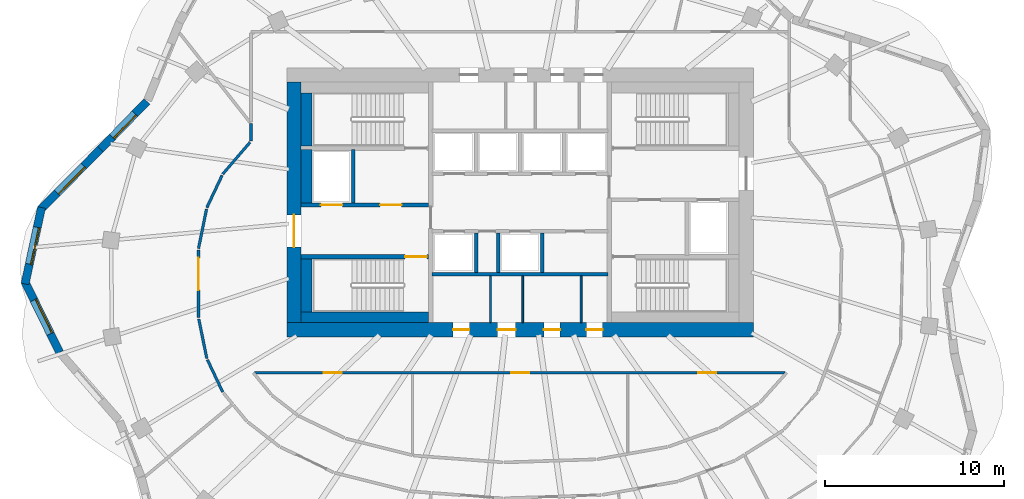
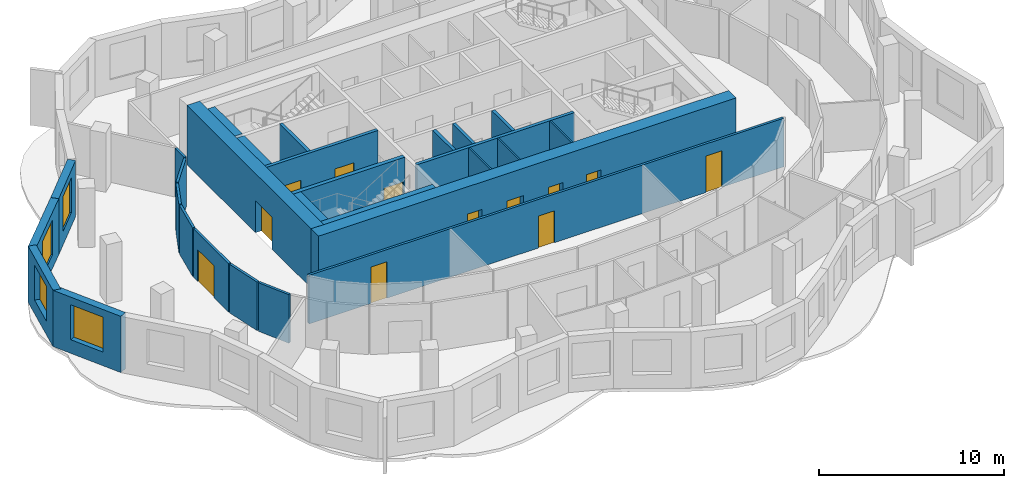
# One storey, part 4 of 9: 28 walls, 12 doors, 4 windows, 16 openings.
"""IFC4 building model written with IfcOpenShell, lengths in metres."""

from ifc_helpers import new_model, si_unit, direction, frame, frame_2d, origin, place, context, subcontext, project, spatial, rectangle, extrude, material, layer, layer_set, type_object, element, fill, save


model = new_model("IFC4")

# Units and contexts
model_context = context("Model", 3, precision=1e-05, world=origin(), true_north=direction((0.0, 1.0)))
body_context = subcontext(model_context, "Body", "Model", "MODEL_VIEW")
ifc_project = project(units=[si_unit("LENGTHUNIT", "METRE"), si_unit("AREAUNIT", "SQUARE_METRE"), si_unit("VOLUMEUNIT", "CUBIC_METRE"), si_unit("PLANEANGLEUNIT", "RADIAN"), si_unit("MASSUNIT", "GRAM", prefix="KILO")], contexts=[model_context])

# Site, building, storey
site_placement = place(None, origin())
site = spatial("IfcSite", under=ifc_project, at=site_placement, CompositionType="ELEMENT")
building_placement = place(site_placement, origin())
building = spatial("IfcBuilding", under=site, at=building_placement, Name="Rubra Terraces Tower", CompositionType="ELEMENT")
storey_placement = place(building_placement, frame((0.0, 0.0, 284.39990234375)))
storey = spatial("IfcBuildingStorey", under=building, at=storey_placement, Name="L70", CompositionType="ELEMENT", Elevation=284.39990234375)

# Wall, opening, window
ifc_material_1 = material(Name="Brick masonry red-brown", Category="masonry")
ifc_layer_1 = layer(ifc_material_1, 0.449951171875)
ifc_layer_set_1 = layer_set([ifc_layer_1], Name="Brick masonry red-brown")
wall_type_1 = type_object("IfcWallType", Name="Brick facade wall 450", PredefinedType="SOLIDWALL", material=ifc_layer_set_1)
wall_1_placement = place(storey_placement, frame((-20.795654296875, 10.1240234375, 0.0), z_axis=(0.0, 0.0, 1.0), x_axis=(-0.697121527554, -0.716952980203, 0.0)))
wall_1 = element("IfcWall", 1, at=wall_1_placement, inside=storey, type_object=wall_type_1, Name="Facade wall L70 bay 18", PredefinedType="SOLIDWALL", context=body_context, shape_type="SweptSolid", body=[
    extrude(rectangle(XDim=3.7177734375, YDim=0.449951171875, at=frame_2d((1.85888671875, 0.0))), origin(), (0.0, 0.0, 1.0), 3.7001953125),
])
opening_1_placement = place(wall_1_placement, frame((0.958984375, 0.0, 0.89990234375)))
opening_1 = element("IfcOpeningElement", 2, at=opening_1_placement, cuts=wall_1, Name="Opening W6B", PredefinedType="OPENING", context=body_context, shape_type="SweptSolid", body=[
    extrude(rectangle(XDim=1.800048828125, YDim=2.300048828125, at=frame_2d((0.89990234375, 1.14990234375))), frame((0.0, 0.23486328125, 0.0), z_axis=(0.0, -1.0, 0.0), x_axis=(1.0, 0.0, 0.0)), (0.0, 0.0, 1.0), 0.469970703125),
])
ifc_material_2 = material(Name="Clear glass in aluminium frame", Category="aluminium")
window_type_1 = type_object("IfcWindowType", Name="Fixed deep-set window at wind fin tall storey 1800 x 2300", PartitioningType="SINGLE_PANEL", PredefinedType="WINDOW", material=ifc_material_2)
window_1_placement = place(opening_1_placement, origin())
window_1 = element("IfcWindow", 3, at=window_1_placement, inside=storey, type_object=window_type_1, Name="Window L70 bay 18", OverallHeight=2.300048828125, OverallWidth=1.800048828125, PartitioningType="SINGLE_PANEL", PredefinedType="WINDOW", context=body_context, shape_type="SweptSolid", body=[
    extrude(rectangle(XDim=1.800048828125, YDim=2.300048828125, at=frame_2d((0.89990234375, 1.14990234375))), frame((0.0, 0.135009765625, 0.0), z_axis=(0.0, -1.0, 0.0), x_axis=(1.0, 0.0, 0.0)), (0.0, 0.0, 1.0), 0.06005859375),
])
fill(opening_1, window_1)

wall_2_placement = place(storey_placement, frame((-23.389892578125, 7.45556640625, 0.0), z_axis=(0.0, 0.0, 1.0), x_axis=(-0.705349231702, -0.708859973011, 0.0)))
wall_2 = element("IfcWall", 4, at=wall_2_placement, inside=storey, type_object=wall_type_1, Name="Facade wall L70 bay 19", PredefinedType="SOLIDWALL", context=body_context, shape_type="SweptSolid", body=[
    extrude(rectangle(XDim=4.728759765625, YDim=0.449951171875, at=frame_2d((2.3642578125, 0.0))), origin(), (0.0, 0.0, 1.0), 3.7001953125),
])
opening_2_placement = place(wall_2_placement, frame((1.314453125, 0.0, 0.89990234375)))
opening_2 = element("IfcOpeningElement", 5, at=opening_2_placement, cuts=wall_2, Name="Opening W1B", PredefinedType="OPENING", context=body_context, shape_type="SweptSolid", body=[
    extrude(rectangle(XDim=2.10009765625, YDim=2.300048828125, at=frame_2d((1.050048828125, 1.14990234375))), frame((0.0, 0.23486328125, 0.0), z_axis=(0.0, -1.0, 0.0), x_axis=(1.0, 0.0, 0.0)), (0.0, 0.0, 1.0), 0.469970703125),
])
window_type_2 = type_object("IfcWindowType", Name="Fixed deep-set window tall storey 2100 x 2300", PartitioningType="SINGLE_PANEL", PredefinedType="WINDOW", material=ifc_material_2)
window_2_placement = place(opening_2_placement, origin())
window_2 = element("IfcWindow", 6, at=window_2_placement, inside=storey, type_object=window_type_2, Name="Window L70 bay 19", OverallHeight=2.300048828125, OverallWidth=2.10009765625, PartitioningType="SINGLE_PANEL", PredefinedType="WINDOW", context=body_context, shape_type="SweptSolid", body=[
    extrude(rectangle(XDim=2.10009765625, YDim=2.300048828125, at=frame_2d((1.050048828125, 1.14990234375))), frame((0.0, 0.135009765625, 0.0), z_axis=(0.0, -1.0, 0.0), x_axis=(1.0, 0.0, 0.0)), (0.0, 0.0, 1.0), 0.06005859375),
])
fill(opening_2, window_2)

wall_3_placement = place(storey_placement, frame((-26.668212890625, 4.21142578125, 0.0), z_axis=(0.0, 0.0, 1.0), x_axis=(-0.210910311825, -0.977505417052, 0.0)))
wall_3 = element("IfcWall", 7, at=wall_3_placement, inside=storey, type_object=wall_type_1, Name="Facade wall L70 bay 20", PredefinedType="SOLIDWALL", context=body_context, shape_type="SweptSolid", body=[
    extrude(rectangle(XDim=4.35693359375, YDim=0.449951171875, at=frame_2d((2.178466796875, 0.0))), origin(), (0.0, 0.0, 1.0), 3.7001953125),
])
opening_3_placement = place(wall_3_placement, frame((1.12841796875, 0.0, 0.89990234375)))
opening_3 = element("IfcOpeningElement", 8, at=opening_3_placement, cuts=wall_3, Name="Opening W1B", PredefinedType="OPENING", context=body_context, shape_type="SweptSolid", body=[
    extrude(rectangle(XDim=2.10009765625, YDim=2.300048828125, at=frame_2d((1.050048828125, 1.14990234375))), frame((0.0, 0.23486328125, 0.0), z_axis=(0.0, -1.0, 0.0), x_axis=(1.0, 0.0, 0.0)), (0.0, 0.0, 1.0), 0.469970703125),
])
window_3_placement = place(opening_3_placement, origin())
window_3 = element("IfcWindow", 9, at=window_3_placement, inside=storey, type_object=window_type_2, Name="Window L70 bay 20", OverallHeight=2.300048828125, OverallWidth=2.10009765625, PartitioningType="SINGLE_PANEL", PredefinedType="WINDOW", context=body_context, shape_type="SweptSolid", body=[
    extrude(rectangle(XDim=2.10009765625, YDim=2.300048828125, at=frame_2d((1.050048828125, 1.14990234375))), frame((0.0, 0.135009765625, 0.0), z_axis=(0.0, -1.0, 0.0), x_axis=(1.0, 0.0, 0.0)), (0.0, 0.0, 1.0), 0.06005859375),
])
fill(opening_3, window_3)

wall_4_placement = place(storey_placement, frame((-27.60498046875, 0.09912109375, 0.0), z_axis=(0.0, 0.0, 1.0), x_axis=(0.440876526139, -0.897567762734, 0.0)))
wall_4 = element("IfcWall", 10, at=wall_4_placement, inside=storey, type_object=wall_type_1, Name="Facade wall L70 bay 21", PredefinedType="SOLIDWALL", context=body_context, shape_type="SweptSolid", body=[
    extrude(rectangle(XDim=4.4150390625, YDim=0.449951171875, at=frame_2d((2.20751953125, 0.0))), origin(), (0.0, 0.0, 1.0), 3.7001953125),
])
opening_4_placement = place(wall_4_placement, frame((1.15771484375, 0.0, 0.89990234375)))
opening_4 = element("IfcOpeningElement", 11, at=opening_4_placement, cuts=wall_4, Name="Opening W1B", PredefinedType="OPENING", context=body_context, shape_type="SweptSolid", body=[
    extrude(rectangle(XDim=2.10009765625, YDim=2.300048828125, at=frame_2d((1.050048828125, 1.14990234375))), frame((0.0, 0.23486328125, 0.0), z_axis=(0.0, -1.0, 0.0), x_axis=(1.0, 0.0, 0.0)), (0.0, 0.0, 1.0), 0.469970703125),
])
window_4_placement = place(opening_4_placement, origin())
window_4 = element("IfcWindow", 12, at=window_4_placement, inside=storey, type_object=window_type_2, Name="Window L70 bay 21", OverallHeight=2.300048828125, OverallWidth=2.10009765625, PartitioningType="SINGLE_PANEL", PredefinedType="WINDOW", context=body_context, shape_type="SweptSolid", body=[
    extrude(rectangle(XDim=2.10009765625, YDim=2.300048828125, at=frame_2d((1.050048828125, 1.14990234375))), frame((0.0, 0.135009765625, 0.0), z_axis=(0.0, -1.0, 0.0), x_axis=(1.0, 0.0, 0.0)), (0.0, 0.0, 1.0), 0.06005859375),
])
fill(opening_4, window_4)

# Wall, openings, doors
ifc_material_3 = material(Name="Concrete C50", Category="concrete")
ifc_layer_2 = layer(ifc_material_3, 0.800048828125)
ifc_layer_set_2 = layer_set([ifc_layer_2], Name="Concrete C50")
wall_type_2 = type_object("IfcWallType", Name="CORE WALL 800 C50", PredefinedType="SHEAR", material=ifc_layer_set_2)
wall_5_placement = place(storey_placement, frame((-13.0, -2.60009765625, 0.0), z_axis=(0.0, 0.0, 1.0), x_axis=(1.0, 0.0, 0.0)))
wall_5 = element("IfcWall", 13, at=wall_5_placement, inside=storey, type_object=wall_type_2, Name="CORE WALL S L70", PredefinedType="SHEAR", context=body_context, shape_type="SweptSolid", body=[
    extrude(rectangle(XDim=26.0, YDim=0.800048828125, at=frame_2d((13.0, 0.0))), origin(), (0.0, 0.0, 1.0), 3.900146484375),
])
opening_5_placement = place(wall_5_placement, frame((9.27490234375, 0.0, 0.0)))
opening_5 = element("IfcOpeningElement", 14, at=opening_5_placement, cuts=wall_5, Name="Opening L70.C21", PredefinedType="OPENING", context=body_context, shape_type="SweptSolid", body=[
    extrude(rectangle(XDim=0.89990234375, YDim=2.10009765625, at=frame_2d((0.449951171875, 1.050048828125))), frame((0.0, 0.409912109375, 0.0), z_axis=(0.0, -1.0, 0.0), x_axis=(1.0, 0.0, 0.0)), (0.0, 0.0, 1.0), 0.820068359375),
])
opening_6_placement = place(wall_5_placement, frame((11.75, 0.0, 0.0)))
opening_6 = element("IfcOpeningElement", 15, at=opening_6_placement, cuts=wall_5, Name="Opening L70.C22", PredefinedType="OPENING", context=body_context, shape_type="SweptSolid", body=[
    extrude(rectangle(XDim=1.0, YDim=2.10009765625, at=frame_2d((0.5, 1.050048828125))), frame((0.0, 0.409912109375, 0.0), z_axis=(0.0, -1.0, 0.0), x_axis=(1.0, 0.0, 0.0)), (0.0, 0.0, 1.0), 0.820068359375),
])
opening_7_placement = place(wall_5_placement, frame((14.324951171875, 0.0, 0.0)))
opening_7 = element("IfcOpeningElement", 16, at=opening_7_placement, cuts=wall_5, Name="Opening L70.C23", PredefinedType="OPENING", context=body_context, shape_type="SweptSolid", body=[
    extrude(rectangle(XDim=0.89990234375, YDim=2.10009765625, at=frame_2d((0.449951171875, 1.050048828125))), frame((0.0, 0.409912109375, 0.0), z_axis=(0.0, -1.0, 0.0), x_axis=(1.0, 0.0, 0.0)), (0.0, 0.0, 1.0), 0.820068359375),
])
opening_8_placement = place(wall_5_placement, frame((16.699951171875, 0.0, 0.0)))
opening_8 = element("IfcOpeningElement", 17, at=opening_8_placement, cuts=wall_5, Name="Opening L70.C24", PredefinedType="OPENING", context=body_context, shape_type="SweptSolid", body=[
    extrude(rectangle(XDim=0.89990234375, YDim=2.10009765625, at=frame_2d((0.449951171875, 1.050048828125))), frame((0.0, 0.409912109375, 0.0), z_axis=(0.0, -1.0, 0.0), x_axis=(1.0, 0.0, 0.0)), (0.0, 0.0, 1.0), 0.820068359375),
])
ifc_material_4 = material(Name="Painted steel", Category="steel")
door_type_1 = type_object("IfcDoorType", Name="Fire door 1000x2100 single", OperationType="NOTDEFINED", PredefinedType="DOOR", material=ifc_material_4)
door_1_placement = place(opening_6_placement, origin())
door_1 = element("IfcDoor", 18, at=door_1_placement, inside=storey, type_object=door_type_1, Name="Accessible WC door", OperationType="SINGLE_SWING_RIGHT", OverallHeight=2.10009765625, OverallWidth=1.0, PredefinedType="DOOR", context=body_context, shape_type="SweptSolid", body=[
    extrude(rectangle(XDim=1.0, YDim=2.10009765625, at=frame_2d((0.5, 1.050048828125))), frame((0.0, 0.02490234375, 0.0), z_axis=(0.0, -1.0, 0.0), x_axis=(1.0, 0.0, 0.0)), (0.0, 0.0, 1.0), 0.050048828125),
])
fill(opening_6, door_1)
door_type_2 = type_object("IfcDoorType", Name="Fire door 900x2100 single", OperationType="NOTDEFINED", PredefinedType="DOOR", material=ifc_material_4)
door_2_placement = place(opening_5_placement, origin())
door_2 = element("IfcDoor", 19, at=door_2_placement, inside=storey, type_object=door_type_2, Name="Gents WC door", OperationType="SINGLE_SWING_LEFT", OverallHeight=2.10009765625, OverallWidth=0.89990234375, PredefinedType="DOOR", context=body_context, shape_type="SweptSolid", body=[
    extrude(rectangle(XDim=0.89990234375, YDim=2.10009765625, at=frame_2d((0.449951171875, 1.050048828125))), frame((0.0, 0.02490234375, 0.0), z_axis=(0.0, -1.0, 0.0), x_axis=(1.0, 0.0, 0.0)), (0.0, 0.0, 1.0), 0.050048828125),
])
fill(opening_5, door_2)
door_3_placement = place(opening_7_placement, origin())
door_3 = element("IfcDoor", 20, at=door_3_placement, inside=storey, type_object=door_type_2, Name="Ladies WC door", OperationType="SINGLE_SWING_LEFT", OverallHeight=2.10009765625, OverallWidth=0.89990234375, PredefinedType="DOOR", context=body_context, shape_type="SweptSolid", body=[
    extrude(rectangle(XDim=0.89990234375, YDim=2.10009765625, at=frame_2d((0.449951171875, 1.050048828125))), frame((0.0, 0.02490234375, 0.0), z_axis=(0.0, -1.0, 0.0), x_axis=(1.0, 0.0, 0.0)), (0.0, 0.0, 1.0), 0.050048828125),
])
fill(opening_7, door_3)
door_4_placement = place(opening_8_placement, origin())
door_4 = element("IfcDoor", 21, at=door_4_placement, inside=storey, type_object=door_type_2, Name="Cleaner's store door", OperationType="SINGLE_SWING_RIGHT", OverallHeight=2.10009765625, OverallWidth=0.89990234375, PredefinedType="DOOR", context=body_context, shape_type="SweptSolid", body=[
    extrude(rectangle(XDim=0.89990234375, YDim=2.10009765625, at=frame_2d((0.449951171875, 1.050048828125))), frame((0.0, 0.02490234375, 0.0), z_axis=(0.0, -1.0, 0.0), x_axis=(1.0, 0.0, 0.0)), (0.0, 0.0, 1.0), 0.050048828125),
])
fill(opening_8, door_4)

# Wall, opening, door
wall_6_placement = place(storey_placement, frame((-12.60009765625, -2.199951171875, 0.0), z_axis=(0.0, 0.0, 1.0), x_axis=(0.0, 1.0, 0.0)))
wall_6 = element("IfcWall", 22, at=wall_6_placement, inside=storey, type_object=wall_type_2, Name="CORE WALL W L70", PredefinedType="SHEAR", context=body_context, shape_type="SweptSolid", body=[
    extrude(rectangle(XDim=13.39990234375, YDim=0.800048828125, at=frame_2d((6.699951171875, 0.0))), origin(), (0.0, 0.0, 1.0), 3.900146484375),
])
opening_9_placement = place(wall_6_placement, frame((4.199951171875, 0.0, 0.0)))
opening_9 = element("IfcOpeningElement", 23, at=opening_9_placement, cuts=wall_6, Name="Opening L70.C01", PredefinedType="OPENING", context=body_context, shape_type="SweptSolid", body=[
    extrude(rectangle(XDim=1.800048828125, YDim=2.10009765625, at=frame_2d((0.89990234375, 1.050048828125))), frame((0.0, 0.409912109375, 0.0), z_axis=(0.0, -1.0, 0.0), x_axis=(1.0, 0.0, 0.0)), (0.0, 0.0, 1.0), 0.820068359375),
])
door_type_3 = type_object("IfcDoorType", Name="Fire door 1800x2100 double", OperationType="NOTDEFINED", PredefinedType="DOOR", material=ifc_material_4)
door_5_placement = place(opening_9_placement, origin())
door_5 = element("IfcDoor", 24, at=door_5_placement, inside=storey, type_object=door_type_3, Name="Core entrance door FF1", OperationType="DOUBLE_DOOR_SINGLE_SWING", OverallHeight=2.10009765625, OverallWidth=1.800048828125, PredefinedType="DOOR", context=body_context, shape_type="SweptSolid", body=[
    extrude(rectangle(XDim=1.800048828125, YDim=2.10009765625, at=frame_2d((0.89990234375, 1.050048828125))), frame((0.0, 0.02490234375, 0.0), z_axis=(0.0, -1.0, 0.0), x_axis=(1.0, 0.0, 0.0)), (0.0, 0.0, 1.0), 0.050048828125),
])
fill(opening_9, door_5)

# Walls
ifc_material_5 = material(Name="Plasterboard on steel stud, mineral wool infill", Category="steel")
ifc_layer_3 = layer(ifc_material_5, 0.14990234375)
ifc_layer_set_3 = layer_set([ifc_layer_3], Name="Plasterboard on steel stud, mineral wool infill")
wall_type_3 = type_object("IfcWallType", Name="CORRIDOR PARTITION 150", PredefinedType="PARTITIONING", material=ifc_layer_set_3)
wall_7_placement = place(storey_placement, frame((-15.0, 8.892822265625, 0.0), z_axis=(0.0, 0.0, 1.0), x_axis=(0.0, -1.0, 0.0)))
element("IfcWall", 25, at=wall_7_placement, inside=storey, type_object=wall_type_3, Name="PARTITION", PredefinedType="PARTITIONING", context=body_context, shape_type="SweptSolid", body=[
    extrude(rectangle(XDim=0.988525390625, YDim=0.14990234375, at=frame_2d((0.494140625, 0.0))), origin(), (0.0, 0.0, 1.0), 3.197998046875),
])
wall_8_placement = place(storey_placement, frame((-15.048828125, 7.847412109375, 0.0), z_axis=(0.0, 0.0, 1.0), x_axis=(-0.651264357687, -0.758850931611, 0.0)))
element("IfcWall", 26, at=wall_8_placement, inside=storey, type_object=wall_type_3, Name="PARTITION", PredefinedType="PARTITIONING", context=body_context, shape_type="SweptSolid", body=[
    extrude(rectangle(XDim=2.33740234375, YDim=0.14990234375, at=frame_2d((1.168701171875, 0.0))), origin(), (0.0, 0.0, 1.0), 3.197998046875),
])
wall_9_placement = place(storey_placement, frame((-16.603271484375, 6.006103515625, 0.0), z_axis=(0.0, 0.0, 1.0), x_axis=(-0.427839289523, -0.903854823708, 0.0)))
element("IfcWall", 27, at=wall_9_placement, inside=storey, type_object=wall_type_3, Name="PARTITION", PredefinedType="PARTITIONING", context=body_context, shape_type="SweptSolid", body=[
    extrude(rectangle(XDim=1.99658203125, YDim=0.14990234375, at=frame_2d((0.998291015625, 0.0))), origin(), (0.0, 0.0, 1.0), 3.197998046875),
])
wall_10_placement = place(storey_placement, frame((-17.472412109375, 4.1279296875, 0.0), z_axis=(0.0, 0.0, 1.0), x_axis=(-0.199502025364, -0.979897413955, 0.0)))
element("IfcWall", 28, at=wall_10_placement, inside=storey, type_object=wall_type_3, Name="PARTITION", PredefinedType="PARTITIONING", context=body_context, shape_type="SweptSolid", body=[
    extrude(rectangle(XDim=2.24560546875, YDim=0.14990234375, at=frame_2d((1.122802734375, 0.0))), origin(), (0.0, 0.0, 1.0), 3.197998046875),
])

# Wall, opening, door
wall_11_placement = place(storey_placement, frame((-17.92041015625, 1.8525390625, 0.0), z_axis=(0.0, 0.0, 1.0), x_axis=(0.0, -1.0, 0.0)))
wall_11 = element("IfcWall", 29, at=wall_11_placement, inside=storey, type_object=wall_type_3, Name="PARTITION", PredefinedType="PARTITIONING", context=body_context, shape_type="SweptSolid", body=[
    extrude(rectangle(XDim=3.780029296875, YDim=0.14990234375, at=frame_2d((1.89013671875, 0.0))), origin(), (0.0, 0.0, 1.0), 3.197998046875),
])
opening_10_placement = place(wall_11_placement, frame((0.449951171875, 0.0, 0.0)))
opening_10 = element("IfcOpeningElement", 30, at=opening_10_placement, cuts=wall_11, Name="Opening 70-101", PredefinedType="OPENING", context=body_context, shape_type="SweptSolid", body=[
    extrude(rectangle(XDim=1.800048828125, YDim=2.10009765625, at=frame_2d((0.89990234375, 1.050048828125))), frame((0.0, 0.0849609375, 0.0), z_axis=(0.0, -1.0, 0.0), x_axis=(1.0, 0.0, 0.0)), (0.0, 0.0, 1.0), 0.169921875),
])
ifc_material_6 = material(Name="Painted timber door leaf, double", Category="wood")
door_type_4 = type_object("IfcDoorType", Name="ROOM DOUBLE DOOR 1800 X 2100", OperationType="DOUBLE_DOOR_SINGLE_SWING", PredefinedType="DOOR", material=ifc_material_6)
door_6_placement = place(opening_10_placement, origin())
door_6 = element("IfcDoor", 31, at=door_6_placement, inside=storey, type_object=door_type_4, Name="DOOR 70-101", OperationType="DOUBLE_DOOR_SINGLE_SWING", OverallHeight=2.10009765625, OverallWidth=1.800048828125, PredefinedType="DOOR", context=body_context, shape_type="SweptSolid", body=[
    extrude(rectangle(XDim=1.800048828125, YDim=2.10009765625, at=frame_2d((0.89990234375, 1.050048828125))), frame((0.0, 0.02490234375, 0.0), z_axis=(0.0, -1.0, 0.0), x_axis=(1.0, 0.0, 0.0)), (0.0, 0.0, 1.0), 0.050048828125),
])
fill(opening_10, door_6)

# Walls
wall_12_placement = place(storey_placement, frame((-17.905517578125, -2.0009765625, 0.0), z_axis=(0.0, 0.0, 1.0), x_axis=(0.199502025364, -0.979897413955, 0.0)))
element("IfcWall", 32, at=wall_12_placement, inside=storey, type_object=wall_type_3, Name="PARTITION", PredefinedType="PARTITIONING", context=body_context, shape_type="SweptSolid", body=[
    extrude(rectangle(XDim=2.24560546875, YDim=0.14990234375, at=frame_2d((1.122802734375, 0.0))), origin(), (0.0, 0.0, 1.0), 3.197998046875),
])
wall_13_placement = place(storey_placement, frame((-17.42529296875, -4.269287109375, 0.0), z_axis=(0.0, 0.0, 1.0), x_axis=(0.427886578366, -0.90383243804, 0.0)))
element("IfcWall", 33, at=wall_13_placement, inside=storey, type_object=wall_type_3, Name="PARTITION", PredefinedType="PARTITIONING", context=body_context, shape_type="SweptSolid", body=[
    extrude(rectangle(XDim=1.996337890625, YDim=0.14990234375, at=frame_2d((0.998046875, 0.0))), origin(), (0.0, 0.0, 1.0), 3.197998046875),
])

# Wall, openings, doors
wall_14_placement = place(storey_placement, frame((-14.7890625, -5.0, 0.0), z_axis=(0.0, 0.0, 1.0), x_axis=(1.0, 0.0, 0.0)))
wall_14 = element("IfcWall", 34, at=wall_14_placement, inside=storey, type_object=wall_type_3, Name="PARTITION", PredefinedType="PARTITIONING", context=body_context, shape_type="SweptSolid", body=[
    extrude(rectangle(XDim=29.56201171875, YDim=0.14990234375, at=frame_2d((14.781005859375, 0.0))), origin(), (0.0, 0.0, 1.0), 3.197998046875),
])
opening_11_placement = place(wall_14_placement, frame((3.85693359375, 0.0, 0.0)))
opening_11 = element("IfcOpeningElement", 35, at=opening_11_placement, cuts=wall_14, Name="Opening 70-113", PredefinedType="OPENING", context=body_context, shape_type="SweptSolid", body=[
    extrude(rectangle(XDim=1.0, YDim=2.39990234375, at=frame_2d((0.5, 1.199951171875))), frame((0.0, 0.0849609375, 0.0), z_axis=(0.0, -1.0, 0.0), x_axis=(1.0, 0.0, 0.0)), (0.0, 0.0, 1.0), 0.169921875),
])
opening_12_placement = place(wall_14_placement, frame((14.2890625, 0.0, 0.0)))
opening_12 = element("IfcOpeningElement", 36, at=opening_12_placement, cuts=wall_14, Name="Opening 70-114", PredefinedType="OPENING", context=body_context, shape_type="SweptSolid", body=[
    extrude(rectangle(XDim=1.0, YDim=2.10009765625, at=frame_2d((0.5, 1.050048828125))), frame((0.0, 0.0849609375, 0.0), z_axis=(0.0, -1.0, 0.0), x_axis=(1.0, 0.0, 0.0)), (0.0, 0.0, 1.0), 0.169921875),
])
opening_13_placement = place(wall_14_placement, frame((24.712890625, 0.0, 0.0)))
opening_13 = element("IfcOpeningElement", 37, at=opening_13_placement, cuts=wall_14, Name="Opening 70-115", PredefinedType="OPENING", context=body_context, shape_type="SweptSolid", body=[
    extrude(rectangle(XDim=1.0, YDim=2.39990234375, at=frame_2d((0.5, 1.199951171875))), frame((0.0, 0.0849609375, 0.0), z_axis=(0.0, -1.0, 0.0), x_axis=(1.0, 0.0, 0.0)), (0.0, 0.0, 1.0), 0.169921875),
])
ifc_material_7 = material(Name="Glazed aluminium meeting door leaf", Category="aluminium")
door_type_5 = type_object("IfcDoorType", Name="MEETING ROOM GLAZED DOOR 1000 X 2400", OperationType="SINGLE_SWING_LEFT", PredefinedType="DOOR", material=ifc_material_7)
door_7_placement = place(opening_11_placement, origin())
door_7 = element("IfcDoor", 38, at=door_7_placement, inside=storey, type_object=door_type_5, Name="DOOR 70-113", OperationType="SINGLE_SWING_RIGHT", OverallHeight=2.39990234375, OverallWidth=1.0, PredefinedType="DOOR", context=body_context, shape_type="SweptSolid", body=[
    extrude(rectangle(XDim=1.0, YDim=2.39990234375, at=frame_2d((0.5, 1.199951171875))), frame((0.0, 0.02490234375, 0.0), z_axis=(0.0, -1.0, 0.0), x_axis=(1.0, 0.0, 0.0)), (0.0, 0.0, 1.0), 0.050048828125),
])
fill(opening_11, door_7)
door_8_placement = place(opening_13_placement, origin())
door_8 = element("IfcDoor", 39, at=door_8_placement, inside=storey, type_object=door_type_5, Name="DOOR 70-115", OperationType="SINGLE_SWING_RIGHT", OverallHeight=2.39990234375, OverallWidth=1.0, PredefinedType="DOOR", context=body_context, shape_type="SweptSolid", body=[
    extrude(rectangle(XDim=1.0, YDim=2.39990234375, at=frame_2d((0.5, 1.199951171875))), frame((0.0, 0.02490234375, 0.0), z_axis=(0.0, -1.0, 0.0), x_axis=(1.0, 0.0, 0.0)), (0.0, 0.0, 1.0), 0.050048828125),
])
fill(opening_13, door_8)
ifc_material_8 = material(Name="Painted timber door leaf", Category="wood")
door_type_6 = type_object("IfcDoorType", Name="ROOM DOOR 1000 X 2100", OperationType="SINGLE_SWING_LEFT", PredefinedType="DOOR", material=ifc_material_8)
door_9_placement = place(opening_12_placement, origin())
door_9 = element("IfcDoor", 40, at=door_9_placement, inside=storey, type_object=door_type_6, Name="DOOR 70-114", OperationType="SINGLE_SWING_RIGHT", OverallHeight=2.10009765625, OverallWidth=1.0, PredefinedType="DOOR", context=body_context, shape_type="SweptSolid", body=[
    extrude(rectangle(XDim=1.0, YDim=2.10009765625, at=frame_2d((0.5, 1.050048828125))), frame((0.0, 0.02490234375, 0.0), z_axis=(0.0, -1.0, 0.0), x_axis=(1.0, 0.0, 0.0)), (0.0, 0.0, 1.0), 0.050048828125),
])
fill(opening_12, door_9)

# Walls
ifc_material_9 = material(Name="Concrete C40", Category="concrete")
ifc_layer_4 = layer(ifc_material_9, 0.60009765625)
ifc_layer_set_4 = layer_set([ifc_layer_4], Name="Concrete C40")
wall_type_4 = type_object("IfcWallType", Name="Core lining wall 600 concrete", PredefinedType="SOLIDWALL", material=ifc_layer_set_4)
wall_15_placement = place(storey_placement, frame((-12.199951171875, -1.89990234375, 0.0), z_axis=(0.0, 0.0, 1.0), x_axis=(1.0, 0.0, 0.0)))
element("IfcWall", 41, at=wall_15_placement, inside=storey, type_object=wall_type_4, Name="CORE LINING WALL L70", PredefinedType="SOLIDWALL", context=body_context, shape_type="SweptSolid", body=[
    extrude(rectangle(XDim=7.099853515625, YDim=0.60009765625, at=frame_2d((3.5498046875, 0.0))), origin(), (0.0, 0.0, 1.0), 3.7001953125),
])
wall_16_placement = place(storey_placement, frame((-11.89990234375, -1.60009765625, 0.0), z_axis=(0.0, 0.0, 1.0), x_axis=(0.0, 1.0, 0.0)))
element("IfcWall", 42, at=wall_16_placement, inside=storey, type_object=wall_type_4, Name="CORE LINING WALL L70", PredefinedType="SOLIDWALL", context=body_context, shape_type="SweptSolid", body=[
    extrude(rectangle(XDim=2.9501953125, YDim=0.60009765625, at=frame_2d((1.47509765625, 0.0))), origin(), (0.0, 0.0, 1.0), 3.7001953125),
])
wall_17_placement = place(storey_placement, frame((-11.89990234375, 4.449951171875, 0.0), z_axis=(0.0, 0.0, 1.0), x_axis=(0.0, 1.0, 0.0)))
element("IfcWall", 43, at=wall_17_placement, inside=storey, type_object=wall_type_4, Name="CORE LINING WALL L70", PredefinedType="SOLIDWALL", context=body_context, shape_type="SweptSolid", body=[
    extrude(rectangle(XDim=3.0, YDim=0.60009765625, at=frame_2d((1.5, 0.0))), origin(), (0.0, 0.0, 1.0), 3.7001953125),
])
wall_18_placement = place(storey_placement, frame((-11.89990234375, 7.64990234375, 0.0), z_axis=(0.0, 0.0, 1.0), x_axis=(0.0, 1.0, 0.0)))
element("IfcWall", 44, at=wall_18_placement, inside=storey, type_object=wall_type_4, Name="CORE LINING WALL L70", PredefinedType="SOLIDWALL", context=body_context, shape_type="SweptSolid", body=[
    extrude(rectangle(XDim=2.9501953125, YDim=0.60009765625, at=frame_2d((1.47509765625, 0.0))), origin(), (0.0, 0.0, 1.0), 3.7001953125),
])

# Wall, openings, doors
ifc_material_10 = material(Name="Concrete C30", Category="concrete")
ifc_layer_5 = layer(ifc_material_10, 0.199951171875)
ifc_layer_set_5 = layer_set([ifc_layer_5], Name="Concrete C30")
wall_type_5 = type_object("IfcWallType", Name="Core wall 200 concrete", PredefinedType="SOLIDWALL", material=ifc_layer_set_5)
wall_19_placement = place(storey_placement, frame((-12.199951171875, 4.35009765625, 0.0), z_axis=(0.0, 0.0, 1.0), x_axis=(1.0, 0.0, 0.0)))
wall_19 = element("IfcWall", 45, at=wall_19_placement, inside=storey, type_object=wall_type_5, Name="STAIR WALL L70", PredefinedType="SOLIDWALL", context=body_context, shape_type="SweptSolid", body=[
    extrude(rectangle(XDim=7.099853515625, YDim=0.199951171875, at=frame_2d((3.5498046875, 0.0))), origin(), (0.0, 0.0, 1.0), 3.7001953125),
])
opening_14_placement = place(wall_19_placement, frame((4.39990234375, 0.0, 0.0)))
opening_14 = element("IfcOpeningElement", 46, at=opening_14_placement, cuts=wall_19, Name="Opening L70.C05", PredefinedType="OPENING", context=body_context, shape_type="SweptSolid", body=[
    extrude(rectangle(XDim=1.199951171875, YDim=2.10009765625, at=frame_2d((0.60009765625, 1.050048828125))), frame((0.0, 0.10986328125, 0.0), z_axis=(0.0, -1.0, 0.0), x_axis=(1.0, 0.0, 0.0)), (0.0, 0.0, 1.0), 0.219970703125),
])
opening_15_placement = place(wall_19_placement, frame((1.10009765625, 0.0, 0.0)))
opening_15 = element("IfcOpeningElement", 47, at=opening_15_placement, cuts=wall_19, Name="Opening L70.C11", PredefinedType="OPENING", context=body_context, shape_type="SweptSolid", body=[
    extrude(rectangle(XDim=1.199951171875, YDim=2.10009765625, at=frame_2d((0.60009765625, 1.050048828125))), frame((0.0, 0.10986328125, 0.0), z_axis=(0.0, -1.0, 0.0), x_axis=(1.0, 0.0, 0.0)), (0.0, 0.0, 1.0), 0.219970703125),
])
door_type_7 = type_object("IfcDoorType", Name="Fire door 1200x2100 single", OperationType="NOTDEFINED", PredefinedType="DOOR", material=ifc_material_4)
door_10_placement = place(opening_14_placement, origin())
door_10 = element("IfcDoor", 48, at=door_10_placement, inside=storey, type_object=door_type_7, Name="Stair vestibule door S2", OperationType="SINGLE_SWING_LEFT", OverallHeight=2.10009765625, OverallWidth=1.199951171875, PredefinedType="DOOR", context=body_context, shape_type="SweptSolid", body=[
    extrude(rectangle(XDim=1.199951171875, YDim=2.10009765625, at=frame_2d((0.60009765625, 1.050048828125))), frame((0.0, 0.02490234375, 0.0), z_axis=(0.0, -1.0, 0.0), x_axis=(1.0, 0.0, 0.0)), (0.0, 0.0, 1.0), 0.050048828125),
])
fill(opening_14, door_10)
ifc_material_11 = material(Name="Stainless steel", Category="steel")
door_type_8 = type_object("IfcDoorType", Name="Lift landing door 1200x2100", OperationType="NOTDEFINED", PredefinedType="DOOR", material=ifc_material_11)
door_11_placement = place(opening_15_placement, origin())
door_11 = element("IfcDoor", 49, at=door_11_placement, inside=storey, type_object=door_type_8, Name="Landing door FF1", OperationType="SLIDING_TO_RIGHT", OverallHeight=2.10009765625, OverallWidth=1.199951171875, PredefinedType="DOOR", context=body_context, shape_type="SweptSolid", body=[
    extrude(rectangle(XDim=1.199951171875, YDim=2.10009765625, at=frame_2d((0.60009765625, 1.050048828125))), frame((0.0, 0.02490234375, 0.0), z_axis=(0.0, -1.0, 0.0), x_axis=(1.0, 0.0, 0.0)), (0.0, 0.0, 1.0), 0.050048828125),
])
fill(opening_15, door_11)

# Walls
wall_20_placement = place(storey_placement, frame((-9.300048828125, 4.449951171875, 0.0), z_axis=(0.0, 0.0, 1.0), x_axis=(0.0, 1.0, 0.0)))
element("IfcWall", 50, at=wall_20_placement, inside=storey, type_object=wall_type_5, Name="STAIR WALL L70", PredefinedType="SOLIDWALL", context=body_context, shape_type="SweptSolid", body=[
    extrude(rectangle(XDim=3.0, YDim=0.199951171875, at=frame_2d((1.5, 0.0))), origin(), (0.0, 0.0, 1.0), 3.7001953125),
])
wall_21_placement = place(storey_placement, frame((-4.89990234375, 0.5, 0.0), z_axis=(0.0, 0.0, 1.0), x_axis=(1.0, 0.0, 0.0)))
element("IfcWall", 51, at=wall_21_placement, inside=storey, type_object=wall_type_5, Name="LIFT SHAFT WALL L70", PredefinedType="SOLIDWALL", context=body_context, shape_type="SweptSolid", body=[
    extrude(rectangle(XDim=9.7998046875, YDim=0.199951171875, at=frame_2d((4.89990234375, 0.0))), origin(), (0.0, 0.0, 1.0), 3.7001953125),
])
for number, where, z_axis, x_axis, name in (
    (52, (-2.449951171875, 0.60009765625, 0.0), (0.0, 0.0, 1.0), (0.0, 1.0, 0.0), "LIFT SHAFT WALL L70"),
    (53, (-1.22509765625, 0.60009765625, 0.0), (0.0, 0.0, 1.0), (0.0, 1.0, 0.0), "LIFT SHAFT WALL L70"),
    (54, (1.22509765625, 0.60009765625, 0.0), (0.0, 0.0, 1.0), (0.0, 1.0, 0.0), "LIFT SHAFT WALL L70"),
):
    element("IfcWall", number, at=place(storey_placement, frame(where, z_axis=z_axis, x_axis=x_axis)), inside=storey, type_object=wall_type_5, Name=name, PredefinedType="SOLIDWALL", context=body_context, shape_type="SweptSolid", body=[
        extrude(rectangle(XDim=2.199951171875, YDim=0.199951171875, at=frame_2d((1.10009765625, 0.0))), origin(), (0.0, 0.0, 1.0), 3.7001953125),
    ])
ifc_material_12 = material(Name="Blockwork", Category="masonry")
ifc_layer_6 = layer(ifc_material_12, 0.10009765625)
ifc_layer_set_6 = layer_set([ifc_layer_6], Name="Blockwork")
wall_type_6 = type_object("IfcWallType", Name="Service partition 100 blockwork", PredefinedType="PARTITIONING", material=ifc_layer_set_6)
for number, where, z_axis, x_axis, name in (
    (55, (-1.64990234375, -2.199951171875, 0.0), (0.0, 0.0, 1.0), (0.0, 1.0, 0.0), "SERVICE ROOM PARTITION L70"),
    (56, (0.14990234375, -2.199951171875, 0.0), (0.0, 0.0, 1.0), (0.0, 1.0, 0.0), "SERVICE ROOM PARTITION L70"),
    (57, (3.39990234375, -2.199951171875, 0.0), (0.0, 0.0, 1.0), (0.0, 1.0, 0.0), "SERVICE ROOM PARTITION L70"),
):
    element("IfcWall", number, at=place(storey_placement, frame(where, z_axis=z_axis, x_axis=x_axis)), inside=storey, type_object=wall_type_6, Name=name, PredefinedType="PARTITIONING", context=body_context, shape_type="SweptSolid", body=[
        extrude(rectangle(XDim=2.599853515625, YDim=0.10009765625, at=frame_2d((1.2998046875, 0.0))), origin(), (0.0, 0.0, 1.0), 3.7001953125),
    ])

# Wall, opening, door
ifc_layer_7 = layer(ifc_material_9, 0.25)
ifc_layer_set_7 = layer_set([ifc_layer_7], Name="Concrete C40")
wall_type_7 = type_object("IfcWallType", Name="Stair enclosure wall 250 concrete", PredefinedType="SOLIDWALL", material=ifc_layer_set_7)
wall_22_placement = place(storey_placement, frame((-12.199951171875, 1.47509765625, 0.0), z_axis=(0.0, 0.0, 1.0), x_axis=(1.0, 0.0, 0.0)))
wall_22 = element("IfcWall", 58, at=wall_22_placement, inside=storey, type_object=wall_type_7, Name="STAIR WALL L70", PredefinedType="SOLIDWALL", context=body_context, shape_type="SweptSolid", body=[
    extrude(rectangle(XDim=7.099853515625, YDim=0.25, at=frame_2d((3.5498046875, 0.0))), origin(), (0.0, 0.0, 1.0), 3.7001953125),
])
opening_16_placement = place(wall_22_placement, frame((5.800048828125, 0.0, 0.0)))
opening_16 = element("IfcOpeningElement", 59, at=opening_16_placement, cuts=wall_22, Name="Opening L70.C07", PredefinedType="OPENING", context=body_context, shape_type="SweptSolid", body=[
    extrude(rectangle(XDim=1.199951171875, YDim=2.10009765625, at=frame_2d((0.60009765625, 1.050048828125))), frame((0.0, 0.135009765625, 0.0), z_axis=(0.0, -1.0, 0.0), x_axis=(1.0, 0.0, 0.0)), (0.0, 0.0, 1.0), 0.27001953125),
])
door_12_placement = place(opening_16_placement, origin())
door_12 = element("IfcDoor", 60, at=door_12_placement, inside=storey, type_object=door_type_7, Name="Stair door S1", OperationType="SINGLE_SWING_LEFT", OverallHeight=2.10009765625, OverallWidth=1.199951171875, PredefinedType="DOOR", context=body_context, shape_type="SweptSolid", body=[
    extrude(rectangle(XDim=1.199951171875, YDim=2.10009765625, at=frame_2d((0.60009765625, 1.050048828125))), frame((0.0, 0.02490234375, 0.0), z_axis=(0.0, -1.0, 0.0), x_axis=(1.0, 0.0, 0.0)), (0.0, 0.0, 1.0), 0.050048828125),
])
fill(opening_16, door_12)

save(model, "model.ifc")
